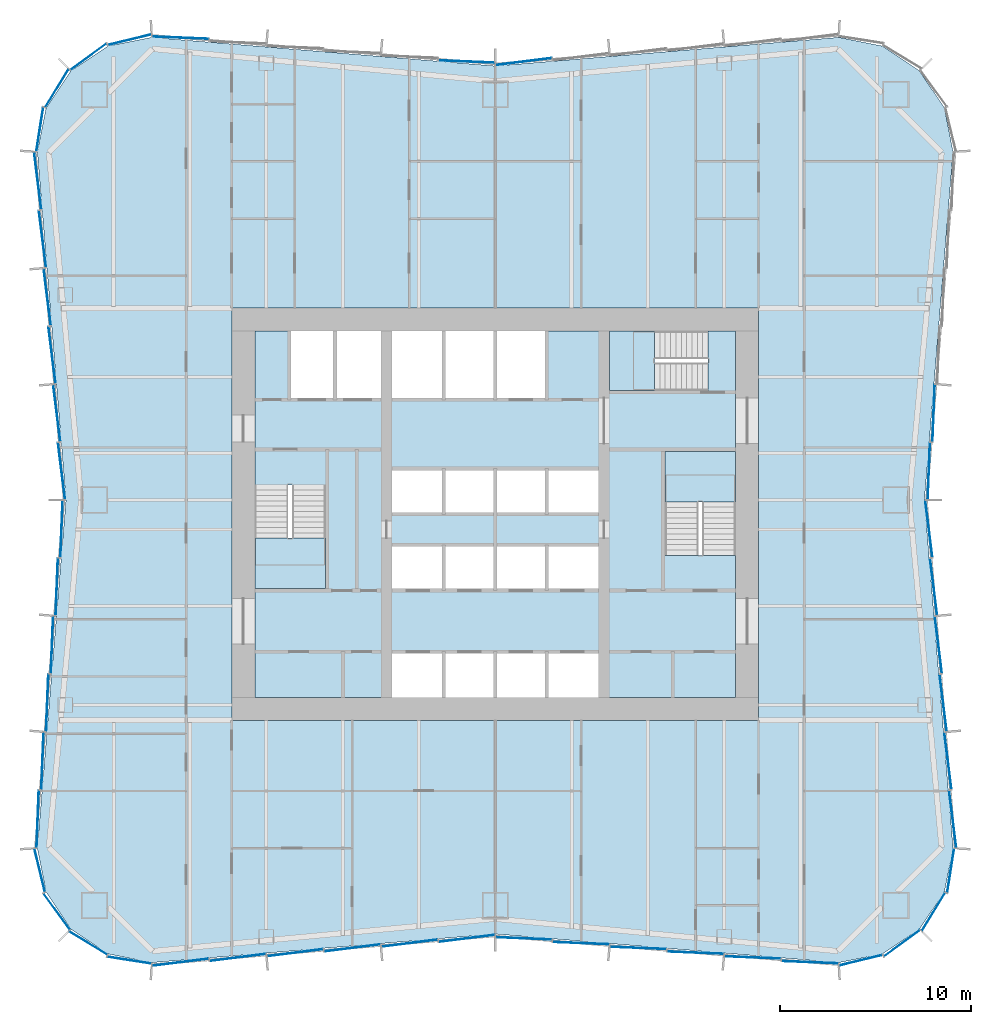
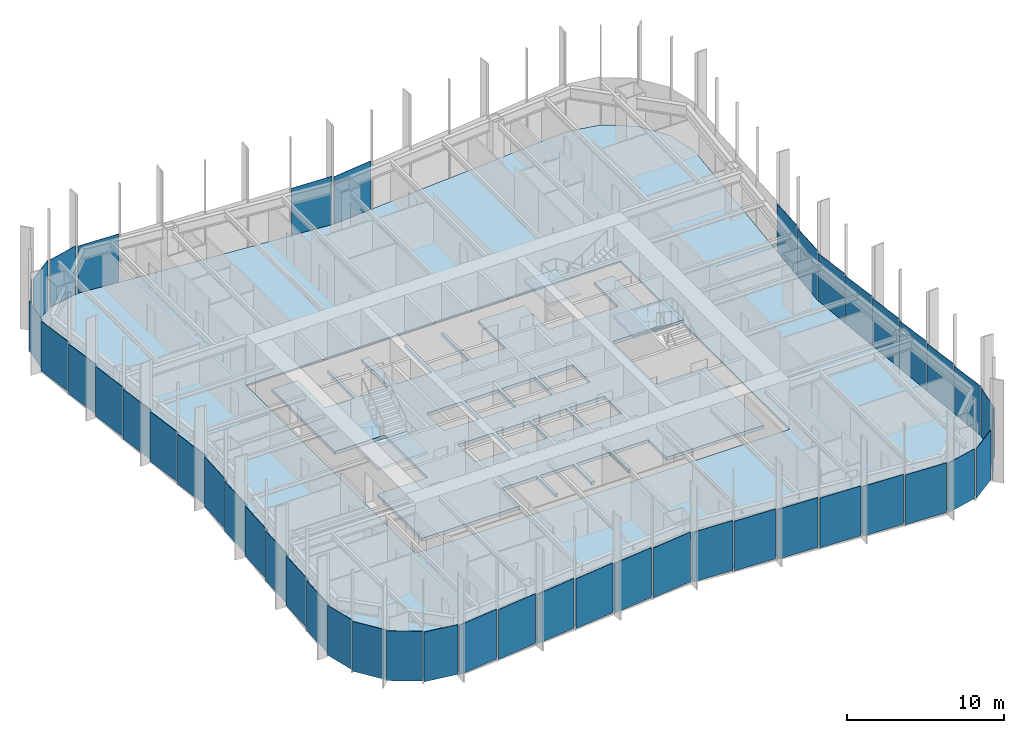
# One storey, part 7 of 13: 47 plates, 5 slabs, 10 elements without a shape of their own.
"""IFC4 building model written with IfcOpenShell, lengths in metres."""

from ifc_helpers import new_model, si_unit, direction, frame, origin, origin_2d, place, context, subcontext, project, spatial, polyline, rectangle, outline, extrude, material, layer, layer_set, type_object, element, aggregate, save


model = new_model("IFC4")

# Units and contexts
model_context = context("Model", 3, precision=1e-05, world=origin(), true_north=direction((0.0, 1.0)))
body_context = subcontext(model_context, "Body", "Model", "MODEL_VIEW")
ifc_project = project(units=[si_unit("LENGTHUNIT", "METRE"), si_unit("AREAUNIT", "SQUARE_METRE"), si_unit("VOLUMEUNIT", "CUBIC_METRE"), si_unit("PLANEANGLEUNIT", "RADIAN"), si_unit("MASSUNIT", "GRAM", prefix="KILO")], contexts=[model_context])

# Site, building, storey
site_placement = place(None, origin())
site = spatial("IfcSite", under=ifc_project, at=site_placement, CompositionType="ELEMENT")
building_placement = place(site_placement, origin())
building = spatial("IfcBuilding", under=site, at=building_placement, Name="Verdant Reach Tower", CompositionType="ELEMENT")
storey_placement = place(building_placement, frame((0.0, 0.0, 106.0)))
storey = spatial("IfcBuildingStorey", under=building, at=storey_placement, Name="L24", CompositionType="ELEMENT", Elevation=106.0)

# Stair, slab
ifc_material_1 = material(Name="Concrete C40/50", Category="concrete")
stair_type = type_object("IfcStairType", Name="CO-STAIR", PredefinedType="HALF_TURN_STAIR", material=ifc_material_1)
stair_1_placement = place(storey_placement, origin())
stair_1 = element("IfcStair", 1, at=stair_1_placement, inside=storey, type_object=stair_type, Name="L24 Exit stair 1", PredefinedType="HALF_TURN_STAIR")
ifc_layer_1 = layer(ifc_material_1, 0.199951171875)
ifc_layer_set_1 = layer_set([ifc_layer_1], Name="CO-STAIR-LANDING")
slab_type_1 = type_object("IfcSlabType", Name="CO-STAIR-LANDING", PredefinedType="LANDING", material=ifc_layer_set_1)
slab_1_placement = place(storey_placement, frame((0.0, 0.0, 1.800048828125)))
slab_1 = element("IfcSlab", 2, at=slab_1_placement, type_object=slab_type_1, Name="ST-1 landing 1", PredefinedType="LANDING", context=body_context, shape_type="SweptSolid", body=[
    extrude(outline(polyline([(-12.60009765625, 26.75), (-12.60009765625, 24.10009765625), (-8.89990234375, 24.10009765625), (-8.89990234375, 26.75), (-12.60009765625, 26.75)])), origin(), (0.0, 0.0, 1.0), 0.199951171875),
])
aggregate(stair_1, [slab_1])

stair_2_placement = place(storey_placement, origin())
stair_2 = element("IfcStair", 3, at=stair_2_placement, inside=storey, type_object=stair_type, Name="L24 Exit stair 2", PredefinedType="HALF_TURN_STAIR")
slab_2_placement = place(storey_placement, frame((0.0, 0.0, 1.800048828125)))
slab_2 = element("IfcSlab", 4, at=slab_2_placement, type_object=slab_type_1, Name="ST-2 landing 1", PredefinedType="LANDING", context=body_context, shape_type="SweptSolid", body=[
    extrude(outline(polyline([(12.60009765625, 28.64990234375), (12.60009765625, 31.300048828125), (8.89990234375, 31.300048828125), (8.89990234375, 28.64990234375), (12.60009765625, 28.64990234375)])), origin(), (0.0, 0.0, 1.0), 0.199951171875),
])
aggregate(stair_2, [slab_2])

stair_3_placement = place(storey_placement, origin())
stair_3 = element("IfcStair", 5, at=stair_3_placement, inside=storey, type_object=stair_type, Name="L24 Exit stair 3", PredefinedType="HALF_TURN_STAIR")
slab_3_placement = place(storey_placement, frame((0.0, 0.0, 1.800048828125)))
slab_3 = element("IfcSlab", 6, at=slab_3_placement, type_object=slab_type_1, Name="ST-3 landing 1", PredefinedType="LANDING", context=body_context, shape_type="SweptSolid", body=[
    extrude(outline(polyline([(8.35009765625, 37.60009765625), (6.0, 37.60009765625), (6.0, 34.5), (8.35009765625, 34.5), (8.35009765625, 37.60009765625)])), origin(), (0.0, 0.0, 1.0), 0.199951171875),
])
aggregate(stair_3, [slab_3])

# Curtain wall, plates
ifc_material_2 = material(Name="Anodised aluminium", Category="aluminium")
curtain_wall_type = type_object("IfcCurtainWallType", Name="EN-CW SYSTEM Z1", PredefinedType="NOTDEFINED", material=ifc_material_2)
curtain_wall_1_placement = place(storey_placement, origin())
curtain_wall_1 = element("IfcCurtainWall", 7, at=curtain_wall_1_placement, inside=storey, type_object=curtain_wall_type, Name="Curtain wall east, L24", PredefinedType="NOTDEFINED")
ifc_material_3 = material(Name="Tinted glass with champagne spandrel", Category="glass")
ifc_layer_2 = layer(ifc_material_3, 0.031982421875)
ifc_layer_set_2 = layer_set([ifc_layer_2], Name="EN-PANEL CHAMPAGNE")
plate_type_1 = type_object("IfcPlateType", Name="EN-PANEL CHAMPAGNE", PredefinedType="CURTAIN_PANEL", material=ifc_layer_set_2)
plate_1_placement = place(storey_placement, frame((23.2275390625, 21.154296875, -0.22802734375), z_axis=(0.0, 0.0, 1.0), x_axis=(-0.123578623975, 0.992334784081, 0.0)))
plate_1 = element("IfcPlate", 8, at=plate_1_placement, type_object=plate_type_1, Name="Glass panel east face part 1 4.1, L24", PredefinedType="CURTAIN_PANEL", context=body_context, shape_type="SweptSolid", body=[
    extrude(rectangle(XDim=2.993896484375, YDim=0.031982421875, at=origin_2d()), origin(), (0.0, 0.0, 1.0), 3.8779296875),
])
plate_2_placement = place(storey_placement, frame((22.9775390625, 24.196044921875, -0.22802734375), z_axis=(0.0, 0.0, 1.0), x_axis=(-0.123578623975, 0.992334784081, 0.0)))
plate_2 = element("IfcPlate", 9, at=plate_2_placement, type_object=plate_type_1, Name="Glass panel east face part 1 5.1, L24", PredefinedType="CURTAIN_PANEL", context=body_context, shape_type="SweptSolid", body=[
    extrude(rectangle(XDim=2.993896484375, YDim=0.031982421875, at=origin_2d()), origin(), (0.0, 0.0, 1.0), 3.8779296875),
])

curtain_wall_2_placement = place(storey_placement, origin())
curtain_wall_2 = element("IfcCurtainWall", 10, at=curtain_wall_2_placement, inside=storey, type_object=curtain_wall_type, Name="Curtain wall north-west corner, L24", PredefinedType="NOTDEFINED")
plate_3_placement = place(storey_placement, frame((-21.325439453125, 51.97705078125, -0.22802734375), z_axis=(0.0, 0.0, 1.0), x_axis=(-0.807456753161, -0.589926768145, 0.0)))
plate_3 = element("IfcPlate", 11, at=plate_3_placement, type_object=plate_type_1, Name="Glass panel north-west corner 2.1, L24", PredefinedType="CURTAIN_PANEL", context=body_context, shape_type="SweptSolid", body=[
    extrude(rectangle(XDim=2.3232421875, YDim=0.031982421875, at=origin_2d()), origin(), (0.0, 0.0, 1.0), 3.8779296875),
])
plate_4_placement = place(storey_placement, frame((-22.97705078125, 50.325439453125, -0.22802734375), z_axis=(0.0, 0.0, 1.0), x_axis=(-0.520291572248, -0.85398868836, 0.0)))
plate_4 = element("IfcPlate", 12, at=plate_4_placement, type_object=plate_type_1, Name="Glass panel north-west corner 3.1, L24", PredefinedType="CURTAIN_PANEL", context=body_context, shape_type="SweptSolid", body=[
    extrude(rectangle(XDim=2.3232421875, YDim=0.031982421875, at=origin_2d()), origin(), (0.0, 0.0, 1.0), 3.8779296875),
])

curtain_wall_3_placement = place(storey_placement, origin())
curtain_wall_3 = element("IfcCurtainWall", 13, at=curtain_wall_3_placement, inside=storey, type_object=curtain_wall_type, Name="Curtain wall west, L24", PredefinedType="NOTDEFINED")
plate_5_placement = place(storey_placement, frame((-23.977783203125, 45.477783203125, -0.22802734375), z_axis=(0.0, 0.0, 1.0), x_axis=(0.123256305275, -0.992374870304, 0.0)))
plate_5 = element("IfcPlate", 14, at=plate_5_placement, type_object=plate_type_1, Name="Glass panel west face part 1 1.1, L24", PredefinedType="CURTAIN_PANEL", context=body_context, shape_type="SweptSolid", body=[
    extrude(rectangle(XDim=3.00830078125, YDim=0.031982421875, at=origin_2d()), origin(), (0.0, 0.0, 1.0), 3.8779296875),
])
plate_6_placement = place(storey_placement, frame((-23.7275390625, 42.428955078125, -0.22802734375), z_axis=(0.0, 0.0, 1.0), x_axis=(0.123578623975, -0.992334784081, 0.0)))
plate_6 = element("IfcPlate", 15, at=plate_6_placement, type_object=plate_type_1, Name="Glass panel west face part 1 2.1, L24", PredefinedType="CURTAIN_PANEL", context=body_context, shape_type="SweptSolid", body=[
    extrude(rectangle(XDim=2.993896484375, YDim=0.031982421875, at=origin_2d()), origin(), (0.0, 0.0, 1.0), 3.8779296875),
])
plate_7_placement = place(storey_placement, frame((-22.9775390625, 24.196044921875, -0.22802734375), z_axis=(0.0, 0.0, 1.0), x_axis=(-0.040108781752, -0.999195319057, 0.0)))
plate_7 = element("IfcPlate", 16, at=plate_7_placement, type_object=plate_type_1, Name="Glass panel west face part 2 2.1, L24", PredefinedType="CURTAIN_PANEL", context=body_context, shape_type="SweptSolid", body=[
    extrude(rectangle(XDim=2.993896484375, YDim=0.031982421875, at=origin_2d()), origin(), (0.0, 0.0, 1.0), 3.8779296875),
])
plate_8_placement = place(storey_placement, frame((-23.2275390625, 21.154296875, -0.22802734375), z_axis=(0.0, 0.0, 1.0), x_axis=(-0.040108781752, -0.999195319057, 0.0)))
plate_8 = element("IfcPlate", 17, at=plate_8_placement, type_object=plate_type_1, Name="Glass panel west face part 2 3.1, L24", PredefinedType="CURTAIN_PANEL", context=body_context, shape_type="SweptSolid", body=[
    extrude(rectangle(XDim=2.993896484375, YDim=0.031982421875, at=origin_2d()), origin(), (0.0, 0.0, 1.0), 3.8779296875),
])

curtain_wall_4_placement = place(storey_placement, origin())
curtain_wall_4 = element("IfcCurtainWall", 18, at=curtain_wall_4_placement, inside=storey, type_object=curtain_wall_type, Name="Curtain wall south-west corner, L24", PredefinedType="NOTDEFINED")
plate_9_placement = place(storey_placement, frame((-23.87060546875, 9.329345703125, -0.22802734375), z_axis=(0.0, 0.0, 1.0), x_axis=(0.236383344544, -0.971659875894, 0.0)))
plate_9 = element("IfcPlate", 19, at=plate_9_placement, type_object=plate_type_1, Name="Glass panel south-west corner 1.1, L24", PredefinedType="CURTAIN_PANEL", context=body_context, shape_type="SweptSolid", body=[
    extrude(rectangle(XDim=2.3173828125, YDim=0.031982421875, at=origin_2d()), origin(), (0.0, 0.0, 1.0), 3.8779296875),
])
plate_10_placement = place(storey_placement, frame((-22.97705078125, 7.174560546875, -0.22802734375), z_axis=(0.0, 0.0, 1.0), x_axis=(0.589926768145, -0.807456753161, 0.0)))
plate_10 = element("IfcPlate", 20, at=plate_10_placement, type_object=plate_type_1, Name="Glass panel south-west corner 2.1, L24", PredefinedType="CURTAIN_PANEL", context=body_context, shape_type="SweptSolid", body=[
    extrude(rectangle(XDim=2.3232421875, YDim=0.031982421875, at=origin_2d()), origin(), (0.0, 0.0, 1.0), 3.8779296875),
])

curtain_wall_5_placement = place(storey_placement, origin())
curtain_wall_5 = element("IfcCurtainWall", 21, at=curtain_wall_5_placement, inside=storey, type_object=curtain_wall_type, Name="Curtain wall south, L24", PredefinedType="NOTDEFINED")
plate_11_placement = place(storey_placement, frame((-4.491455078125, 5.5224609375, -0.22802734375), z_axis=(0.0, 0.0, 1.0), x_axis=(0.992194034542, 0.124703639961, 0.0)))
plate_11 = element("IfcPlate", 22, at=plate_11_placement, type_object=plate_type_1, Name="Glass panel south face part 1 5.1, L24", PredefinedType="CURTAIN_PANEL", context=body_context, shape_type="SweptSolid", body=[
    extrude(rectangle(XDim=2.952392578125, YDim=0.031982421875, at=origin_2d()), origin(), (0.0, 0.0, 1.0), 3.8779296875),
])
plate_12_placement = place(storey_placement, frame((-1.49560546875, 5.772216796875, -0.22802734375), z_axis=(0.0, 0.0, 1.0), x_axis=(0.992179247355, 0.124821236644, 0.0)))
plate_12 = element("IfcPlate", 23, at=plate_12_placement, type_object=plate_type_1, Name="Glass panel south face part 1 6.1, L24", PredefinedType="CURTAIN_PANEL", context=body_context, shape_type="SweptSolid", body=[
    extrude(rectangle(XDim=2.94384765625, YDim=0.031982421875, at=origin_2d()), origin(), (0.0, 0.0, 1.0), 3.8779296875),
])
plate_13_placement = place(storey_placement, frame((1.49560546875, 5.772216796875, -0.22802734375), z_axis=(0.0, 0.0, 1.0), x_axis=(0.99914430697, -0.041360051381, 0.0)))
plate_13 = element("IfcPlate", 24, at=plate_13_placement, type_object=plate_type_1, Name="Glass panel south face part 2 1.1, L24", PredefinedType="CURTAIN_PANEL", context=body_context, shape_type="SweptSolid", body=[
    extrude(rectangle(XDim=2.94384765625, YDim=0.031982421875, at=origin_2d()), origin(), (0.0, 0.0, 1.0), 3.8779296875),
])

curtain_wall_6_placement = place(storey_placement, origin())
curtain_wall_6 = element("IfcCurtainWall", 25, at=curtain_wall_6_placement, inside=storey, type_object=curtain_wall_type, Name="Curtain wall south-east corner, L24", PredefinedType="NOTDEFINED")
ifc_material_4 = material(Name="Tinted glass with copper spandrel", Category="glass")
ifc_layer_3 = layer(ifc_material_4, 0.031982421875)
ifc_layer_set_3 = layer_set([ifc_layer_3], Name="EN-PANEL COPPER")
plate_type_2 = type_object("IfcPlateType", Name="EN-PANEL COPPER", PredefinedType="CURTAIN_PANEL", material=ifc_layer_set_3)
plate_14_placement = place(storey_placement, frame((19.170654296875, 4.62939453125, -0.22802734375), z_axis=(0.0, 0.0, 1.0), x_axis=(0.971660685934, 0.236380014828, 0.0)))
plate_14 = element("IfcPlate", 26, at=plate_14_placement, type_object=plate_type_2, Name="Glass panel south-east corner 1.1, L24", PredefinedType="CURTAIN_PANEL", context=body_context, shape_type="SweptSolid", body=[
    extrude(rectangle(XDim=2.317626953125, YDim=0.031982421875, at=origin_2d()), origin(), (0.0, 0.0, 1.0), 3.8779296875),
])
plate_15_placement = place(storey_placement, frame((21.325439453125, 5.52294921875, -0.22802734375), z_axis=(0.0, 0.0, 1.0), x_axis=(0.807456753161, 0.589926768145, 0.0)))
plate_15 = element("IfcPlate", 27, at=plate_15_placement, type_object=plate_type_2, Name="Glass panel south-east corner 2.1, L24", PredefinedType="CURTAIN_PANEL", context=body_context, shape_type="SweptSolid", body=[
    extrude(rectangle(XDim=2.3232421875, YDim=0.031982421875, at=origin_2d()), origin(), (0.0, 0.0, 1.0), 3.8779296875),
])

# Plate
plate_16_placement = place(storey_placement, frame((22.727783203125, 27.2333984375, -0.22802734375), z_axis=(0.0, 0.0, 1.0), x_axis=(-0.123691487663, 0.992320722287, 0.0)))
plate_16 = element("IfcPlate", 28, at=plate_16_placement, type_object=plate_type_2, Name="Glass panel east face part 1 6.1, L24", PredefinedType="CURTAIN_PANEL", context=body_context, shape_type="SweptSolid", body=[
    extrude(rectangle(XDim=2.985595703125, YDim=0.031982421875, at=origin_2d()), origin(), (0.0, 0.0, 1.0), 3.8779296875),
])

plate_17_placement = place(storey_placement, frame((22.727783203125, 30.2666015625, -0.22802734375), z_axis=(0.0, 0.0, 1.0), x_axis=(0.040222426271, 0.99919075077, 0.0)))
plate_17 = element("IfcPlate", 29, at=plate_17_placement, type_object=plate_type_2, Name="Glass panel east face part 2 1.1, L24", PredefinedType="CURTAIN_PANEL", context=body_context, shape_type="SweptSolid", body=[
    extrude(rectangle(XDim=2.985595703125, YDim=0.031982421875, at=origin_2d()), origin(), (0.0, 0.0, 1.0), 3.8779296875),
])

plate_18_placement = place(storey_placement, frame((22.9775390625, 33.303955078125, -0.22802734375), z_axis=(0.0, 0.0, 1.0), x_axis=(0.040108781752, 0.999195319057, 0.0)))
plate_18 = element("IfcPlate", 30, at=plate_18_placement, type_object=plate_type_2, Name="Glass panel east face part 2 2.1, L24", PredefinedType="CURTAIN_PANEL", context=body_context, shape_type="SweptSolid", body=[
    extrude(rectangle(XDim=2.993896484375, YDim=0.031982421875, at=origin_2d()), origin(), (0.0, 0.0, 1.0), 3.8779296875),
])

# Curtain wall, plates
curtain_wall_7_placement = place(storey_placement, origin())
curtain_wall_7 = element("IfcCurtainWall", 31, at=curtain_wall_7_placement, inside=storey, type_object=curtain_wall_type, Name="Curtain wall north, L24", PredefinedType="NOTDEFINED")
plate_19_placement = place(storey_placement, frame((1.49560546875, 51.727783203125, -0.22802734375), z_axis=(0.0, 0.0, 1.0), x_axis=(-0.992179247355, -0.124821236644, 0.0)))
plate_19 = element("IfcPlate", 32, at=plate_19_placement, type_object=plate_type_2, Name="Glass panel north face part 1 6.1, L24", PredefinedType="CURTAIN_PANEL", context=body_context, shape_type="SweptSolid", body=[
    extrude(rectangle(XDim=2.94384765625, YDim=0.031982421875, at=origin_2d()), origin(), (0.0, 0.0, 1.0), 3.8779296875),
])
plate_20_placement = place(storey_placement, frame((-16.49853515625, 52.977783203125, -0.22802734375), z_axis=(0.0, 0.0, 1.0), x_axis=(-0.999162836679, 0.040909971885, 0.0)))
plate_20 = element("IfcPlate", 33, at=plate_20_placement, type_object=plate_type_2, Name="Glass panel north face part 2 6.1, L24", PredefinedType="CURTAIN_PANEL", context=body_context, shape_type="SweptSolid", body=[
    extrude(rectangle(XDim=2.966796875, YDim=0.031982421875, at=origin_2d()), origin(), (0.0, 0.0, 1.0), 3.8779296875),
])

# Plate
plate_21_placement = place(storey_placement, frame((-23.87060546875, 48.170654296875, -0.22802734375), z_axis=(0.0, 0.0, 1.0), x_axis=(-0.154247912016, -0.988032176419, 0.0)))
plate_21 = element("IfcPlate", 34, at=plate_21_placement, type_object=plate_type_2, Name="Glass panel north-west corner 4.1, L24", PredefinedType="CURTAIN_PANEL", context=body_context, shape_type="SweptSolid", body=[
    extrude(rectangle(XDim=2.3173828125, YDim=0.031982421875, at=origin_2d()), origin(), (0.0, 0.0, 1.0), 3.8779296875),
])

plate_22_placement = place(storey_placement, frame((-23.4775390625, 39.387451171875, -0.22802734375), z_axis=(0.0, 0.0, 1.0), x_axis=(0.123578623975, -0.992334784081, 0.0)))
plate_22 = element("IfcPlate", 35, at=plate_22_placement, type_object=plate_type_2, Name="Glass panel west face part 1 3.1, L24", PredefinedType="CURTAIN_PANEL", context=body_context, shape_type="SweptSolid", body=[
    extrude(rectangle(XDim=2.993896484375, YDim=0.031982421875, at=origin_2d()), origin(), (0.0, 0.0, 1.0), 3.8779296875),
])

plate_23_placement = place(storey_placement, frame((-23.2275390625, 36.345703125, -0.22802734375), z_axis=(0.0, 0.0, 1.0), x_axis=(0.123578623975, -0.992334784081, 0.0)))
plate_23 = element("IfcPlate", 36, at=plate_23_placement, type_object=plate_type_2, Name="Glass panel west face part 1 4.1, L24", PredefinedType="CURTAIN_PANEL", context=body_context, shape_type="SweptSolid", body=[
    extrude(rectangle(XDim=2.993896484375, YDim=0.031982421875, at=origin_2d()), origin(), (0.0, 0.0, 1.0), 3.8779296875),
])

plate_24_placement = place(storey_placement, frame((-23.4775390625, 18.112548828125, -0.22802734375), z_axis=(0.0, 0.0, 1.0), x_axis=(-0.040108781752, -0.999195319057, 0.0)))
plate_24 = element("IfcPlate", 37, at=plate_24_placement, type_object=plate_type_2, Name="Glass panel west face part 2 4.1, L24", PredefinedType="CURTAIN_PANEL", context=body_context, shape_type="SweptSolid", body=[
    extrude(rectangle(XDim=2.993896484375, YDim=0.031982421875, at=origin_2d()), origin(), (0.0, 0.0, 1.0), 3.8779296875),
])

plate_25_placement = place(storey_placement, frame((-23.7275390625, 15.071044921875, -0.22802734375), z_axis=(0.0, 0.0, 1.0), x_axis=(-0.040108781752, -0.999195319057, 0.0)))
plate_25 = element("IfcPlate", 38, at=plate_25_placement, type_object=plate_type_2, Name="Glass panel west face part 2 5.1, L24", PredefinedType="CURTAIN_PANEL", context=body_context, shape_type="SweptSolid", body=[
    extrude(rectangle(XDim=2.993896484375, YDim=0.031982421875, at=origin_2d()), origin(), (0.0, 0.0, 1.0), 3.8779296875),
])

plate_26_placement = place(storey_placement, frame((-23.977783203125, 12.022216796875, -0.22802734375), z_axis=(0.0, 0.0, 1.0), x_axis=(-0.039784239139, -0.999208293759, 0.0)))
plate_26 = element("IfcPlate", 39, at=plate_26_placement, type_object=plate_type_2, Name="Glass panel west face part 2 6.1, L24", PredefinedType="CURTAIN_PANEL", context=body_context, shape_type="SweptSolid", body=[
    extrude(rectangle(XDim=3.00830078125, YDim=0.031982421875, at=origin_2d()), origin(), (0.0, 0.0, 1.0), 3.8779296875),
])

plate_27_placement = place(storey_placement, frame((-21.325439453125, 5.52294921875, -0.22802734375), z_axis=(0.0, 0.0, 1.0), x_axis=(0.85398868836, -0.520291572248, 0.0)))
plate_27 = element("IfcPlate", 40, at=plate_27_placement, type_object=plate_type_2, Name="Glass panel south-west corner 3.1, L24", PredefinedType="CURTAIN_PANEL", context=body_context, shape_type="SweptSolid", body=[
    extrude(rectangle(XDim=2.3232421875, YDim=0.031982421875, at=origin_2d()), origin(), (0.0, 0.0, 1.0), 3.8779296875),
])

plate_28_placement = place(storey_placement, frame((-19.170654296875, 4.62939453125, -0.22802734375), z_axis=(0.0, 0.0, 1.0), x_axis=(0.988032704995, -0.154244526195, 0.0)))
plate_28 = element("IfcPlate", 41, at=plate_28_placement, type_object=plate_type_2, Name="Glass panel south-west corner 4.1, L24", PredefinedType="CURTAIN_PANEL", context=body_context, shape_type="SweptSolid", body=[
    extrude(rectangle(XDim=2.317626953125, YDim=0.031982421875, at=origin_2d()), origin(), (0.0, 0.0, 1.0), 3.8779296875),
])

aggregate(curtain_wall_4, [plate_9, plate_10, plate_27, plate_28])

plate_29_placement = place(storey_placement, frame((-16.49853515625, 4.522216796875, -0.22802734375), z_axis=(0.0, 0.0, 1.0), x_axis=(0.99223537376, 0.124374286167, 0.0)))
plate_29 = element("IfcPlate", 42, at=plate_29_placement, type_object=plate_type_2, Name="Glass panel south face part 1 1.1, L24", PredefinedType="CURTAIN_PANEL", context=body_context, shape_type="SweptSolid", body=[
    extrude(rectangle(XDim=2.966796875, YDim=0.031982421875, at=origin_2d()), origin(), (0.0, 0.0, 1.0), 3.8779296875),
])

plate_30_placement = place(storey_placement, frame((-13.491455078125, 4.7724609375, -0.22802734375), z_axis=(0.0, 0.0, 1.0), x_axis=(0.992194034542, 0.124703639961, 0.0)))
plate_30 = element("IfcPlate", 43, at=plate_30_placement, type_object=plate_type_2, Name="Glass panel south face part 1 2.1, L24", PredefinedType="CURTAIN_PANEL", context=body_context, shape_type="SweptSolid", body=[
    extrude(rectangle(XDim=2.952392578125, YDim=0.031982421875, at=origin_2d()), origin(), (0.0, 0.0, 1.0), 3.8779296875),
])

plate_31_placement = place(storey_placement, frame((4.491455078125, 5.5224609375, -0.22802734375), z_axis=(0.0, 0.0, 1.0), x_axis=(0.999149202059, -0.041241629766, 0.0)))
plate_31 = element("IfcPlate", 44, at=plate_31_placement, type_object=plate_type_2, Name="Glass panel south face part 2 2.1, L24", PredefinedType="CURTAIN_PANEL", context=body_context, shape_type="SweptSolid", body=[
    extrude(rectangle(XDim=2.952392578125, YDim=0.031982421875, at=origin_2d()), origin(), (0.0, 0.0, 1.0), 3.8779296875),
])

plate_32_placement = place(storey_placement, frame((7.491455078125, 5.2724609375, -0.22802734375), z_axis=(0.0, 0.0, 1.0), x_axis=(0.999149202059, -0.041241629766, 0.0)))
plate_32 = element("IfcPlate", 45, at=plate_32_placement, type_object=plate_type_2, Name="Glass panel south face part 2 3.1, L24", PredefinedType="CURTAIN_PANEL", context=body_context, shape_type="SweptSolid", body=[
    extrude(rectangle(XDim=2.952392578125, YDim=0.031982421875, at=origin_2d()), origin(), (0.0, 0.0, 1.0), 3.8779296875),
])

ifc_material_5 = material(Name="Tinted glass with dark bronze spandrel", Category="glass")
ifc_layer_4 = layer(ifc_material_5, 0.031982421875)
ifc_layer_set_4 = layer_set([ifc_layer_4], Name="EN-PANEL DARK")
plate_type_3 = type_object("IfcPlateType", Name="EN-PANEL DARK", PredefinedType="CURTAIN_PANEL", material=ifc_layer_set_4)
plate_33_placement = place(storey_placement, frame((22.97705078125, 7.174560546875, -0.22802734375), z_axis=(0.0, 0.0, 1.0), x_axis=(0.520291572248, 0.85398868836, 0.0)))
plate_33 = element("IfcPlate", 46, at=plate_33_placement, type_object=plate_type_3, Name="Glass panel south-east corner 3.1, L24", PredefinedType="CURTAIN_PANEL", context=body_context, shape_type="SweptSolid", body=[
    extrude(rectangle(XDim=2.3232421875, YDim=0.031982421875, at=origin_2d()), origin(), (0.0, 0.0, 1.0), 3.8779296875),
])

plate_34_placement = place(storey_placement, frame((23.87060546875, 9.329345703125, -0.22802734375), z_axis=(0.0, 0.0, 1.0), x_axis=(0.154247912016, 0.988032176419, 0.0)))
plate_34 = element("IfcPlate", 47, at=plate_34_placement, type_object=plate_type_3, Name="Glass panel south-east corner 4.1, L24", PredefinedType="CURTAIN_PANEL", context=body_context, shape_type="SweptSolid", body=[
    extrude(rectangle(XDim=2.3173828125, YDim=0.031982421875, at=origin_2d()), origin(), (0.0, 0.0, 1.0), 3.8779296875),
])

aggregate(curtain_wall_6, [plate_14, plate_15, plate_33, plate_34])

plate_35_placement = place(storey_placement, frame((23.977783203125, 12.022216796875, -0.22802734375), z_axis=(0.0, 0.0, 1.0), x_axis=(-0.123256305275, 0.992374870304, 0.0)))
plate_35 = element("IfcPlate", 48, at=plate_35_placement, type_object=plate_type_3, Name="Glass panel east face part 1 1.1, L24", PredefinedType="CURTAIN_PANEL", context=body_context, shape_type="SweptSolid", body=[
    extrude(rectangle(XDim=3.00830078125, YDim=0.031982421875, at=origin_2d()), origin(), (0.0, 0.0, 1.0), 3.8779296875),
])

plate_36_placement = place(storey_placement, frame((23.7275390625, 15.071044921875, -0.22802734375), z_axis=(0.0, 0.0, 1.0), x_axis=(-0.123578623975, 0.992334784081, 0.0)))
plate_36 = element("IfcPlate", 49, at=plate_36_placement, type_object=plate_type_3, Name="Glass panel east face part 1 2.1, L24", PredefinedType="CURTAIN_PANEL", context=body_context, shape_type="SweptSolid", body=[
    extrude(rectangle(XDim=2.993896484375, YDim=0.031982421875, at=origin_2d()), origin(), (0.0, 0.0, 1.0), 3.8779296875),
])

plate_37_placement = place(storey_placement, frame((23.4775390625, 18.112548828125, -0.22802734375), z_axis=(0.0, 0.0, 1.0), x_axis=(-0.123578623975, 0.992334784081, 0.0)))
plate_37 = element("IfcPlate", 50, at=plate_37_placement, type_object=plate_type_3, Name="Glass panel east face part 1 3.1, L24", PredefinedType="CURTAIN_PANEL", context=body_context, shape_type="SweptSolid", body=[
    extrude(rectangle(XDim=2.993896484375, YDim=0.031982421875, at=origin_2d()), origin(), (0.0, 0.0, 1.0), 3.8779296875),
])

aggregate(curtain_wall_1, [plate_35, plate_36, plate_37, plate_1, plate_2, plate_16, plate_17, plate_18])

plate_38_placement = place(storey_placement, frame((-1.49560546875, 51.727783203125, -0.22802734375), z_axis=(0.0, 0.0, 1.0), x_axis=(-0.99914430697, 0.041360051381, 0.0)))
plate_38 = element("IfcPlate", 51, at=plate_38_placement, type_object=plate_type_3, Name="Glass panel north face part 2 1.1, L24", PredefinedType="CURTAIN_PANEL", context=body_context, shape_type="SweptSolid", body=[
    extrude(rectangle(XDim=2.94384765625, YDim=0.031982421875, at=origin_2d()), origin(), (0.0, 0.0, 1.0), 3.8779296875),
])

aggregate(curtain_wall_7, [plate_19, plate_38, plate_20])

plate_39_placement = place(storey_placement, frame((-19.170654296875, 52.87060546875, -0.22802734375), z_axis=(0.0, 0.0, 1.0), x_axis=(-0.971660685934, -0.236380014828, 0.0)))
plate_39 = element("IfcPlate", 52, at=plate_39_placement, type_object=plate_type_3, Name="Glass panel north-west corner 1.1, L24", PredefinedType="CURTAIN_PANEL", context=body_context, shape_type="SweptSolid", body=[
    extrude(rectangle(XDim=2.317626953125, YDim=0.031982421875, at=origin_2d()), origin(), (0.0, 0.0, 1.0), 3.8779296875),
])

aggregate(curtain_wall_2, [plate_39, plate_3, plate_4, plate_21])

plate_40_placement = place(storey_placement, frame((-22.9775390625, 33.303955078125, -0.22802734375), z_axis=(0.0, 0.0, 1.0), x_axis=(0.123578623975, -0.992334784081, 0.0)))
plate_40 = element("IfcPlate", 53, at=plate_40_placement, type_object=plate_type_3, Name="Glass panel west face part 1 5.1, L24", PredefinedType="CURTAIN_PANEL", context=body_context, shape_type="SweptSolid", body=[
    extrude(rectangle(XDim=2.993896484375, YDim=0.031982421875, at=origin_2d()), origin(), (0.0, 0.0, 1.0), 3.8779296875),
])

plate_41_placement = place(storey_placement, frame((-22.727783203125, 30.2666015625, -0.22802734375), z_axis=(0.0, 0.0, 1.0), x_axis=(0.123691487663, -0.992320722287, 0.0)))
plate_41 = element("IfcPlate", 54, at=plate_41_placement, type_object=plate_type_3, Name="Glass panel west face part 1 6.1, L24", PredefinedType="CURTAIN_PANEL", context=body_context, shape_type="SweptSolid", body=[
    extrude(rectangle(XDim=2.985595703125, YDim=0.031982421875, at=origin_2d()), origin(), (0.0, 0.0, 1.0), 3.8779296875),
])

plate_42_placement = place(storey_placement, frame((-22.727783203125, 27.2333984375, -0.22802734375), z_axis=(0.0, 0.0, 1.0), x_axis=(-0.040222426271, -0.99919075077, 0.0)))
plate_42 = element("IfcPlate", 55, at=plate_42_placement, type_object=plate_type_3, Name="Glass panel west face part 2 1.1, L24", PredefinedType="CURTAIN_PANEL", context=body_context, shape_type="SweptSolid", body=[
    extrude(rectangle(XDim=2.985595703125, YDim=0.031982421875, at=origin_2d()), origin(), (0.0, 0.0, 1.0), 3.8779296875),
])

aggregate(curtain_wall_3, [plate_5, plate_6, plate_22, plate_23, plate_40, plate_41, plate_42, plate_7, plate_8, plate_24, plate_25, plate_26])

plate_43_placement = place(storey_placement, frame((-10.491455078125, 5.0224609375, -0.22802734375), z_axis=(0.0, 0.0, 1.0), x_axis=(0.992194034542, 0.124703639961, 0.0)))
plate_43 = element("IfcPlate", 56, at=plate_43_placement, type_object=plate_type_3, Name="Glass panel south face part 1 3.1, L24", PredefinedType="CURTAIN_PANEL", context=body_context, shape_type="SweptSolid", body=[
    extrude(rectangle(XDim=2.952392578125, YDim=0.031982421875, at=origin_2d()), origin(), (0.0, 0.0, 1.0), 3.8779296875),
])

plate_44_placement = place(storey_placement, frame((-7.491455078125, 5.2724609375, -0.22802734375), z_axis=(0.0, 0.0, 1.0), x_axis=(0.992194034542, 0.124703639961, 0.0)))
plate_44 = element("IfcPlate", 57, at=plate_44_placement, type_object=plate_type_3, Name="Glass panel south face part 1 4.1, L24", PredefinedType="CURTAIN_PANEL", context=body_context, shape_type="SweptSolid", body=[
    extrude(rectangle(XDim=2.952392578125, YDim=0.031982421875, at=origin_2d()), origin(), (0.0, 0.0, 1.0), 3.8779296875),
])

plate_45_placement = place(storey_placement, frame((10.491455078125, 5.0224609375, -0.22802734375), z_axis=(0.0, 0.0, 1.0), x_axis=(0.999149202059, -0.041241629766, 0.0)))
plate_45 = element("IfcPlate", 58, at=plate_45_placement, type_object=plate_type_3, Name="Glass panel south face part 2 4.1, L24", PredefinedType="CURTAIN_PANEL", context=body_context, shape_type="SweptSolid", body=[
    extrude(rectangle(XDim=2.952392578125, YDim=0.031982421875, at=origin_2d()), origin(), (0.0, 0.0, 1.0), 3.8779296875),
])

plate_46_placement = place(storey_placement, frame((13.491455078125, 4.7724609375, -0.22802734375), z_axis=(0.0, 0.0, 1.0), x_axis=(0.999149202059, -0.041241629766, 0.0)))
plate_46 = element("IfcPlate", 59, at=plate_46_placement, type_object=plate_type_3, Name="Glass panel south face part 2 5.1, L24", PredefinedType="CURTAIN_PANEL", context=body_context, shape_type="SweptSolid", body=[
    extrude(rectangle(XDim=2.952392578125, YDim=0.031982421875, at=origin_2d()), origin(), (0.0, 0.0, 1.0), 3.8779296875),
])

plate_47_placement = place(storey_placement, frame((16.49853515625, 4.522216796875, -0.22802734375), z_axis=(0.0, 0.0, 1.0), x_axis=(0.999162836679, -0.040909971885, 0.0)))
plate_47 = element("IfcPlate", 60, at=plate_47_placement, type_object=plate_type_3, Name="Glass panel south face part 2 6.1, L24", PredefinedType="CURTAIN_PANEL", context=body_context, shape_type="SweptSolid", body=[
    extrude(rectangle(XDim=2.966796875, YDim=0.031982421875, at=origin_2d()), origin(), (0.0, 0.0, 1.0), 3.8779296875),
])

aggregate(curtain_wall_5, [plate_29, plate_30, plate_43, plate_44, plate_11, plate_12, plate_13, plate_31, plate_32, plate_45, plate_46, plate_47])

# Slabs
ifc_material_6 = material(Name="Concrete C35/45", Category="concrete")
ifc_layer_5 = layer(ifc_material_6, 0.1298828125)
ifc_layer_set_5 = layer_set([ifc_layer_5], Name="ST-SLAB-130")
slab_type_2 = type_object("IfcSlabType", Name="ST-SLAB-130", PredefinedType="FLOOR", material=ifc_layer_set_5)
slab_4_placement = place(storey_placement, frame((0.0, 0.0, -0.1298828125)))
element("IfcSlab", 61, at=slab_4_placement, inside=storey, type_object=slab_type_2, Name="Floor slab L24", PredefinedType="FLOOR", context=body_context, shape_type="SweptSolid", body=[
    extrude(outline(polyline([(0.0, 6.0), (-18.0, 4.5), (-20.296142578125, 4.956787109375), (-22.24267578125, 6.25732421875), (-23.543212890625, 8.203857421875), (-24.0, 10.5), (-22.5, 28.75), (-24.0, 47.0), (-23.543212890625, 49.296142578125), (-22.24267578125, 51.24267578125), (-20.296142578125, 52.543212890625), (-18.0, 53.0), (0.0, 51.5), (18.0, 53.0), (20.296142578125, 52.543212890625), (22.24267578125, 51.24267578125), (23.543212890625, 49.296142578125), (24.0, 47.0), (22.5, 28.75), (24.0, 10.5), (23.543212890625, 8.203857421875), (22.24267578125, 6.25732421875), (20.296142578125, 4.956787109375), (18.0, 4.5), (0.0, 6.0)]), holes=[polyline([(13.800048828125, 38.800048828125), (-13.800048828125, 38.800048828125), (-13.800048828125, 17.199951171875), (13.800048828125, 17.199951171875), (13.800048828125, 38.800048828125)])]), origin(), (0.0, 0.0, 1.0), 0.1298828125),
])
ifc_layer_6 = layer(ifc_material_6, 0.25)
ifc_layer_set_6 = layer_set([ifc_layer_6], Name="ST-SLAB-250")
slab_type_3 = type_object("IfcSlabType", Name="ST-SLAB-250", PredefinedType="FLOOR", material=ifc_layer_set_6)
slab_5_placement = place(storey_placement, frame((0.0, 0.0, -0.25)))
element("IfcSlab", 62, at=slab_5_placement, inside=storey, type_object=slab_type_3, Name="Core floor slab L24", PredefinedType="FLOOR", context=body_context, shape_type="SweptSolid", body=[
    extrude(outline(polyline([(12.60009765625, 18.39990234375), (5.39990234375, 18.39990234375), (5.39990234375, 20.699951171875), (2.800048828125, 20.699951171875), (2.800048828125, 18.39990234375), (2.60009765625, 18.39990234375), (2.60009765625, 20.699951171875), (0.10009765625, 20.699951171875), (0.10009765625, 18.39990234375), (-0.10009765625, 18.39990234375), (-0.10009765625, 20.699951171875), (-2.60009765625, 20.699951171875), (-2.60009765625, 18.39990234375), (-2.800048828125, 18.39990234375), (-2.800048828125, 20.699951171875), (-5.39990234375, 20.699951171875), (-5.39990234375, 18.39990234375), (-12.60009765625, 18.39990234375), (-12.60009765625, 24.10009765625), (-8.89990234375, 24.10009765625), (-8.89990234375, 29.548095703125), (-12.60009765625, 29.548095703125), (-12.60009765625, 37.60009765625), (-10.699951171875, 37.60009765625), (-10.699951171875, 34.10009765625), (-8.5, 34.10009765625), (-8.5, 37.60009765625), (-8.300048828125, 37.60009765625), (-8.300048828125, 34.10009765625), (-6.0, 34.10009765625), (-6.0, 37.60009765625), (-5.39990234375, 37.60009765625), (-5.39990234375, 34.10009765625), (-2.800048828125, 34.10009765625), (-2.800048828125, 37.60009765625), (-2.60009765625, 37.60009765625), (-2.60009765625, 34.10009765625), (-0.10009765625, 34.10009765625), (-0.10009765625, 37.60009765625), (0.10009765625, 37.60009765625), (0.10009765625, 34.10009765625), (2.60009765625, 34.10009765625), (2.60009765625, 37.60009765625), (6.0, 37.60009765625), (6.0, 34.5), (11.14794921875, 34.5), (11.14794921875, 37.60009765625), (12.60009765625, 37.60009765625), (12.60009765625, 31.300048828125), (8.89990234375, 31.300048828125), (8.89990234375, 25.85205078125), (12.60009765625, 25.85205078125), (12.60009765625, 18.39990234375)]), holes=[polyline([(-2.800048828125, 24.10009765625), (-2.800048828125, 26.300048828125), (-5.39990234375, 26.300048828125), (-5.39990234375, 24.10009765625), (-2.800048828125, 24.10009765625)]), polyline([(-2.60009765625, 24.10009765625), (-0.10009765625, 24.10009765625), (-0.10009765625, 26.300048828125), (-2.60009765625, 26.300048828125), (-2.60009765625, 24.10009765625)]), polyline([(-2.800048828125, 28.10009765625), (-2.800048828125, 30.300048828125), (-5.39990234375, 30.300048828125), (-5.39990234375, 28.10009765625), (-2.800048828125, 28.10009765625)]), polyline([(-0.10009765625, 28.10009765625), (-0.10009765625, 30.300048828125), (-2.60009765625, 30.300048828125), (-2.60009765625, 28.10009765625), (-0.10009765625, 28.10009765625)]), polyline([(2.60009765625, 24.10009765625), (2.60009765625, 26.300048828125), (0.10009765625, 26.300048828125), (0.10009765625, 24.10009765625), (2.60009765625, 24.10009765625)]), polyline([(2.800048828125, 24.10009765625), (5.39990234375, 24.10009765625), (5.39990234375, 26.300048828125), (2.800048828125, 26.300048828125), (2.800048828125, 24.10009765625)]), polyline([(2.60009765625, 28.10009765625), (2.60009765625, 30.300048828125), (0.10009765625, 30.300048828125), (0.10009765625, 28.10009765625), (2.60009765625, 28.10009765625)]), polyline([(5.39990234375, 28.10009765625), (5.39990234375, 30.300048828125), (2.800048828125, 30.300048828125), (2.800048828125, 28.10009765625), (5.39990234375, 28.10009765625)])]), origin(), (0.0, 0.0, 1.0), 0.25),
])

save(model, "model.ifc")
